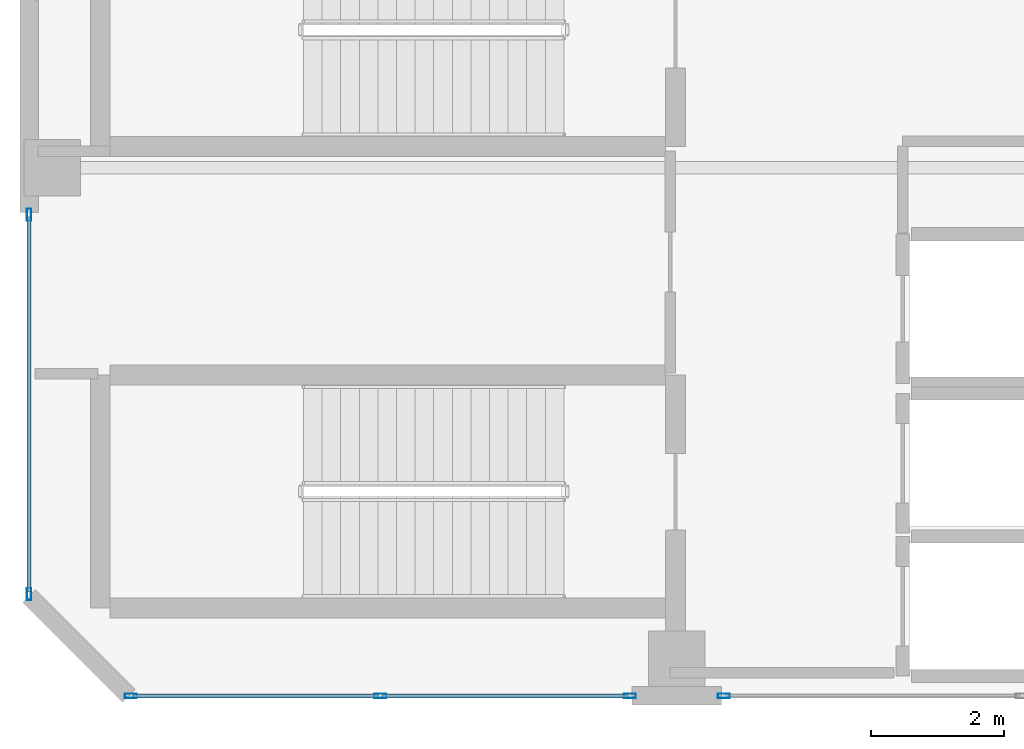
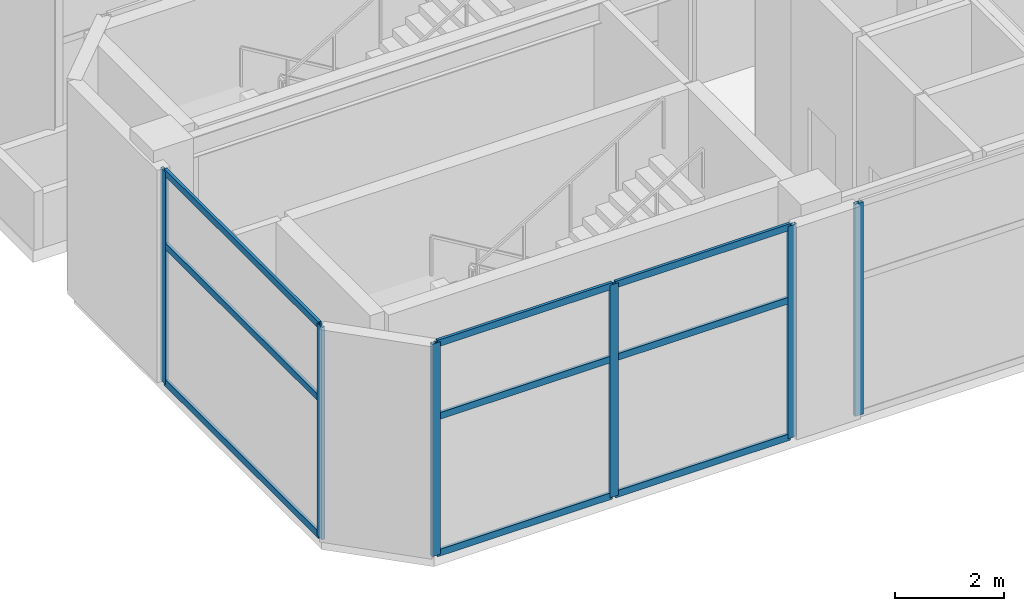
# One storey, part 2 of 18: 15 members, 3 elements without a shape of their own.
"""IFC4 building model written with IfcOpenShell, lengths in metres."""

import ifcopenshell
import ifcopenshell.guid

model = None  # the IFC model being written
_history = None  # IfcOwnerHistory: only IFC2X3 demands one
_inside = {}  # id of a spatial element -> (the spatial element, [elements in it])
_under = {}  # id of a project, library or spatial element -> (it, [spatial elements below it])
_declared = {}  # id of a project -> (the project, [libraries it declares])
_typed = {}  # id of a type object -> (the type object, [elements of that type])
_made_of = {}  # id of a material, layer set ... -> (it, [elements and type objects made of it])


def new_model(schema):
    """Start an empty IFC model of exactly this schema.

    Asked for "IFC4X3", IfcOpenShell would pick the latest addendum, in which some entities
    have other attributes; the version numbers below select the first issue.
    IFC2X3 requires an IfcOwnerHistory on every rooted entity: one is made here for all.
    """
    global model, _history
    if schema == "IFC4X3":
        model = ifcopenshell.file(schema_version=(4, 3, 0, 0))
    else:
        model = ifcopenshell.file(schema=schema)
    _inside.clear()
    _under.clear()
    _declared.clear()
    _typed.clear()
    _made_of.clear()
    _history = None
    if model.schema == "IFC2X3":
        org = make("IfcOrganization", Name="unknown")
        user = make(
            "IfcPersonAndOrganization",
            ThePerson=make("IfcPerson", FamilyName="unknown"),
            TheOrganization=org,
        )
        app = make(
            "IfcApplication",
            ApplicationDeveloper=org,
            Version="unknown",
            ApplicationFullName="unknown",
            ApplicationIdentifier="unknown",
        )
        _history = make(
            "IfcOwnerHistory",
            OwningUser=user,
            OwningApplication=app,
            ChangeAction="ADDED",
            CreationDate=0,
        )
    return model


def make(cls, **values):
    """One entity of the class cls with the attributes given. An attribute that is None is left unset."""
    return model.create_entity(
        cls, **{name: value for name, value in values.items() if value is not None}
    )


def rooted(cls, **values):
    """An entity with a GlobalId (a new one), such as an element, a storey or a relation."""
    return make(cls, GlobalId=ifcopenshell.guid.new(), OwnerHistory=_history, **values)


def si_unit(unit_type, name, prefix=None):
    """IfcSIUnit, for example si_unit("LENGTHUNIT", "METRE", prefix="MILLI")."""
    return make("IfcSIUnit", UnitType=unit_type, Prefix=prefix, Name=name)


def assignment(units):
    """IfcUnitAssignment: the units of a project."""
    return None if units is None else make("IfcUnitAssignment", Units=units)


def point(xyz):
    """IfcCartesianPoint."""
    return None if xyz is None else make("IfcCartesianPoint", Coordinates=xyz)


def direction(xyz):
    """IfcDirection."""
    return None if xyz is None else make("IfcDirection", DirectionRatios=xyz)


def frame(location, z_axis=None, x_axis=None):
    """IfcAxis2Placement3D, a coordinate frame: its origin and axes. An axis left out is left unset."""
    return make(
        "IfcAxis2Placement3D",
        Location=point(location),
        Axis=direction(z_axis),
        RefDirection=direction(x_axis),
    )


def frame_2d(location, x_axis=None):
    """IfcAxis2Placement2D, a coordinate frame in the plane: its origin and x axis."""
    return make(
        "IfcAxis2Placement2D", Location=point(location), RefDirection=direction(x_axis)
    )


def origin():
    """The frame at (0, 0, 0) with its axes left unset."""
    return frame((0.0, 0.0, 0.0))


def origin_2d():
    """The frame at (0, 0) in the plane with its x axis left unset."""
    return frame_2d((0.0, 0.0))


def place(relative_to, where):
    """IfcLocalPlacement: puts the frame where relative to a parent placement (None: the world)."""
    return make(
        "IfcLocalPlacement", PlacementRelTo=relative_to, RelativePlacement=where
    )


def context(
    kind, dimensions, precision=None, world=None, true_north=None, identifier=None
):
    """IfcGeometricRepresentationContext, for example the 3D "Model" context."""
    return make(
        "IfcGeometricRepresentationContext",
        ContextIdentifier=identifier,
        ContextType=kind,
        CoordinateSpaceDimension=dimensions,
        Precision=precision,
        WorldCoordinateSystem=world,
        TrueNorth=true_north,
    )


def subcontext(parent, identifier, kind, view, scale=None):
    """IfcGeometricRepresentationSubContext, for example "Body" below "Model"."""
    return make(
        "IfcGeometricRepresentationSubContext",
        ContextIdentifier=identifier,
        ContextType=kind,
        ParentContext=parent,
        TargetScale=scale,
        TargetView=view,
    )


def project(units=None, contexts=None):
    """IfcProject with its units and contexts."""
    return rooted(
        "IfcProject",
        Name="project",
        RepresentationContexts=contexts,
        UnitsInContext=assignment(units),
    )


def spatial(cls, under=None, at=None, **own):
    """A site, building, storey or space (cls), placed at a placement, below another one or the project."""
    s = rooted(cls, ObjectPlacement=at, **own)
    if under is not None:
        _under.setdefault(under.id(), (under, []))[1].append(s)
    return s


def profile(cls, at=None, kind="AREA", **sizes):
    """A parametric profile (cls). Its sizes go by their IFC names, for example OverallWidth=200.0."""
    return make(cls, ProfileType=kind, Position=at, **sizes)


def hollow_rectangle(**sizes):
    """IfcRectangleHollowProfileDef."""
    return profile("IfcRectangleHollowProfileDef", **sizes)


def extrude(swept, where, along, depth):
    """IfcExtrudedAreaSolid: the profile swept, set in the frame where, extruded along a direction by depth."""
    return make(
        "IfcExtrudedAreaSolid",
        SweptArea=swept,
        Position=where,
        ExtrudedDirection=direction(along),
        Depth=depth,
    )


def shape(context_of_items, identifier, shape_type, items):
    """IfcShapeRepresentation: the items that make up one representation, for example the "Body"."""
    return make(
        "IfcShapeRepresentation",
        ContextOfItems=context_of_items,
        RepresentationIdentifier=identifier,
        RepresentationType=shape_type,
        Items=items,
    )


def material(Name=None, Category=None):
    """IfcMaterial."""
    return make("IfcMaterial", Name=Name, Category=Category)


def layer(
    of_material, thickness, ventilated=None, Name=None, Category=None, Priority=None
):
    """IfcMaterialLayer: one layer of a wall or slab, of a material (None: an air gap)."""
    return make(
        "IfcMaterialLayer",
        Material=of_material,
        LayerThickness=thickness,
        IsVentilated=ventilated,
        Name=Name,
        Category=Category,
        Priority=Priority,
    )


def layer_set(layers, Name=None):
    """IfcMaterialLayerSet."""
    return make("IfcMaterialLayerSet", MaterialLayers=layers, LayerSetName=Name)


def material_profile(
    of_material, cross_section, Name=None, Category=None, Priority=None
):
    """IfcMaterialProfile: a cross section and its material."""
    return make(
        "IfcMaterialProfile",
        Name=Name,
        Material=of_material,
        Profile=cross_section,
        Priority=Priority,
        Category=Category,
    )


def profile_set(profiles, Name=None, composite=None):
    """IfcMaterialProfileSet."""
    return make(
        "IfcMaterialProfileSet",
        Name=Name,
        MaterialProfiles=profiles,
        CompositeProfile=composite,
    )


def made_of(thing, what):
    """Note that an element or type object is made of a material, layer set ...; save() writes the relation."""
    if what is not None:
        _made_of.setdefault(what.id(), (what, []))[1].append(thing)
    return thing


def type_object(cls, material=None, **own):
    """A type object (cls), such as IfcWallType, which elements share."""
    return made_of(rooted(cls, **own), material)


def element(
    cls,
    number,
    at=None,
    inside=None,
    cuts=None,
    type_object=None,
    material=None,
    context=None,
    identifier="Body",
    shape_type=None,
    held_by="IfcProductDefinitionShape",
    body=None,
    shapes=None,
    **own,
):
    """One element of the class cls, such as IfcWall. Its Tag is "e" and its number.

    at: its placement. inside: the storey or other place that contains it. cuts: it is an
    opening in that element (IfcRelVoidsElement). A single representation is given by context,
    identifier, shape_type and body (its items); several are given by shapes. held_by: the class
    of the entity that holds the representations. save() writes the other relations.
    """
    e = rooted(cls, Tag="e%d" % number, ObjectPlacement=at, **own)
    if body is not None:
        shapes = [shape(context, identifier, shape_type, body)]
    if shapes is not None:
        e.Representation = make(held_by, Representations=shapes)
    if inside is not None:
        _inside.setdefault(inside.id(), (inside, []))[1].append(e)
    if cuts is not None:
        rooted(
            "IfcRelVoidsElement", RelatingBuildingElement=cuts, RelatedOpeningElement=e
        )
    if type_object is not None:
        _typed.setdefault(type_object.id(), (type_object, []))[1].append(e)
    return made_of(e, material)


def aggregate(whole, parts):
    """IfcRelAggregates: a whole, such as a stair, and the parts it consists of."""
    return rooted("IfcRelAggregates", RelatingObject=whole, RelatedObjects=parts)


def save(model, path):
    """Write the relations noted so far, then the file.

    IfcRelAggregates (storeys below a building ...), IfcRelContainedInSpatialStructure (elements
    in a storey), IfcRelDefinesByType, IfcRelAssociatesMaterial and IfcRelDeclares: one each for
    every whole, place, type object, material and project.
    """
    for whole, parts in _under.values():
        aggregate(whole, parts)
    for where, things in _inside.values():
        rooted(
            "IfcRelContainedInSpatialStructure",
            RelatedElements=things,
            RelatingStructure=where,
        )
    for kind, things in _typed.values():
        rooted("IfcRelDefinesByType", RelatedObjects=things, RelatingType=kind)
    for what, things in _made_of.values():
        rooted("IfcRelAssociatesMaterial", RelatedObjects=things, RelatingMaterial=what)
    for by, libraries in _declared.values():
        rooted("IfcRelDeclares", RelatingContext=by, RelatedDefinitions=libraries)
    model.write(path)


model = new_model("IFC4")

# Units and contexts
model_context = context("Model", 3, precision=1e-05, world=origin(), true_north=direction((0.0, 1.0)))
body_context = subcontext(model_context, "Body", "Model", "MODEL_VIEW")
ifc_project = project(units=[si_unit("LENGTHUNIT", "METRE"), si_unit("AREAUNIT", "SQUARE_METRE"), si_unit("VOLUMEUNIT", "CUBIC_METRE"), si_unit("PLANEANGLEUNIT", "RADIAN"), si_unit("MASSUNIT", "GRAM", prefix="KILO")], contexts=[model_context])

# Site, building, storey
site_placement = place(None, origin())
site = spatial("IfcSite", under=ifc_project, at=site_placement, CompositionType="ELEMENT")
building_placement = place(site_placement, origin())
building = spatial("IfcBuilding", under=site, at=building_placement, Name="Mawjaban Terraces University", CompositionType="ELEMENT")
storey_placement = place(building_placement, frame((0.0, 0.0, 316.699951171875)))
storey = spatial("IfcBuildingStorey", under=building, at=storey_placement, Name="L77", CompositionType="ELEMENT", Elevation=316.699951171875)

# Curtain wall, members
ifc_material_1 = material(Name="Anodised aluminium 6063-T6 and solar-control low-E glass", Category="aluminium")
ifc_layer = layer(ifc_material_1, 0.199951171875)
ifc_layer_set = layer_set([ifc_layer], Name="Anodised aluminium 6063-T6 and solar-control low-E glass")
curtain_wall_type = type_object("IfcCurtainWallType", Name="CWSystem_06_ObservationCrown", PredefinedType="NOTDEFINED", material=ifc_layer_set)
curtain_wall_1_placement = place(storey_placement, origin())
curtain_wall_1 = element("IfcCurtainWall", 1, at=curtain_wall_1_placement, inside=storey, type_object=curtain_wall_type, Name="L77 Curtain Wall CW-06 Run 1.1", PredefinedType="NOTDEFINED")
ifc_material_2 = material(Name="Anodised aluminium 6063-T6", Category="aluminium")
ifc_material_profile_1 = material_profile(ifc_material_2, hollow_rectangle(XDim=0.06494140625, YDim=0.179931640625, WallThickness=0.00390625, at=origin_2d()), Name="ALU180X65X4")
ifc_profile_set_1 = profile_set([ifc_material_profile_1], Name="Anodised aluminium 6063-T6")
member_type_1 = type_object("IfcMemberType", Name="Mullion_CW-06", PredefinedType="MULLION", material=ifc_profile_set_1)
member_1_placement = place(storey_placement, frame((23.532470703125, 0.0, 0.0), z_axis=(0.0, 0.0, 1.0), x_axis=(0.0, 1.0, 0.0)))
member_1 = element("IfcMember", 2, at=member_1_placement, type_object=member_type_1, Name="CW-06 mullion 1", PredefinedType="MULLION", context=body_context, shape_type="SweptSolid", body=[
    extrude(hollow_rectangle(XDim=0.06494140625, YDim=0.179931640625, WallThickness=0.00390625, at=origin_2d()), origin(), (0.0, 0.0, 1.0), 4.739990234375),
])
member_2_placement = place(storey_placement, frame((27.28759765625, 0.0, 0.0), z_axis=(0.0, 0.0, 1.0), x_axis=(0.0, 1.0, 0.0)))
member_2 = element("IfcMember", 3, at=member_2_placement, type_object=member_type_1, Name="CW-06 mullion 2", PredefinedType="MULLION", context=body_context, shape_type="SweptSolid", body=[
    extrude(hollow_rectangle(XDim=0.06494140625, YDim=0.179931640625, WallThickness=0.00390625, at=origin_2d()), origin(), (0.0, 0.0, 1.0), 4.739990234375),
])
member_3_placement = place(storey_placement, frame((31.04248046875, 0.0, 0.0), z_axis=(0.0, 0.0, 1.0), x_axis=(0.0, 1.0, 0.0)))
member_3 = element("IfcMember", 4, at=member_3_placement, type_object=member_type_1, Name="CW-06 mullion 3", PredefinedType="MULLION", context=body_context, shape_type="SweptSolid", body=[
    extrude(hollow_rectangle(XDim=0.06494140625, YDim=0.179931640625, WallThickness=0.00390625, at=origin_2d()), origin(), (0.0, 0.0, 1.0), 4.739990234375),
])

# Curtain wall, member
curtain_wall_2_placement = place(storey_placement, origin())
curtain_wall_2 = element("IfcCurtainWall", 5, at=curtain_wall_2_placement, inside=storey, type_object=curtain_wall_type, Name="L77 Curtain Wall CW-06 Run 1.2", PredefinedType="NOTDEFINED")
member_4_placement = place(storey_placement, frame((32.45751953125, 0.0, 0.0), z_axis=(0.0, 0.0, 1.0), x_axis=(0.0, 1.0, 0.0)))
member_4 = element("IfcMember", 6, at=member_4_placement, type_object=member_type_1, Name="CW-06 mullion 1", PredefinedType="MULLION", context=body_context, shape_type="SweptSolid", body=[
    extrude(hollow_rectangle(XDim=0.06494140625, YDim=0.179931640625, WallThickness=0.00390625, at=origin_2d()), origin(), (0.0, 0.0, 1.0), 4.739990234375),
])
aggregate(curtain_wall_2, [member_4])

# Curtain wall, members
curtain_wall_3_placement = place(storey_placement, origin())
curtain_wall_3 = element("IfcCurtainWall", 7, at=curtain_wall_3_placement, inside=storey, type_object=curtain_wall_type, Name="L77 Curtain Wall CW-06 Run 7.1", PredefinedType="NOTDEFINED")
member_5_placement = place(storey_placement, frame((22.0, 7.242431640625, 0.0), z_axis=(0.0, 0.0, 1.0), x_axis=(1.0, 0.0, 0.0)))
member_5 = element("IfcMember", 8, at=member_5_placement, type_object=member_type_1, Name="CW-06 mullion 1", PredefinedType="MULLION", context=body_context, shape_type="SweptSolid", body=[
    extrude(hollow_rectangle(XDim=0.06494140625, YDim=0.179931640625, WallThickness=0.00390625, at=origin_2d()), origin(), (0.0, 0.0, 1.0), 4.739990234375),
])
member_6_placement = place(storey_placement, frame((22.0, 1.532470703125, 0.0), z_axis=(0.0, 0.0, 1.0), x_axis=(1.0, 0.0, 0.0)))
member_6 = element("IfcMember", 9, at=member_6_placement, type_object=member_type_1, Name="CW-06 mullion 2", PredefinedType="MULLION", context=body_context, shape_type="SweptSolid", body=[
    extrude(hollow_rectangle(XDim=0.06494140625, YDim=0.179931640625, WallThickness=0.00390625, at=origin_2d()), origin(), (0.0, 0.0, 1.0), 4.739990234375),
])

# Member
ifc_material_profile_2 = material_profile(ifc_material_2, hollow_rectangle(XDim=0.06005859375, YDim=0.14990234375, WallThickness=0.00390625, at=origin_2d()), Name="ALU150X60X4")
ifc_profile_set_2 = profile_set([ifc_material_profile_2], Name="Anodised aluminium 6063-T6")
member_type_2 = type_object("IfcMemberType", Name="Transom_CW-06", PredefinedType="NOTDEFINED", material=ifc_profile_set_2)
member_7_placement = place(storey_placement, frame((23.56494140625, 0.0, 0.030029296875), z_axis=(1.0, 0.0, 0.0), x_axis=(0.0, 1.0, 0.0)))
member_7 = element("IfcMember", 10, at=member_7_placement, type_object=member_type_2, Name="CW-06 transom 1.1", ObjectType="TRANSOM", PredefinedType="USERDEFINED", context=body_context, shape_type="SweptSolid", body=[
    extrude(hollow_rectangle(XDim=0.06005859375, YDim=0.14990234375, WallThickness=0.00390625, at=origin_2d()), origin(), (0.0, 0.0, 1.0), 3.68994140625),
])

member_8_placement = place(storey_placement, frame((23.56494140625, 0.0, 3.0810546875), z_axis=(1.0, 0.0, 0.0), x_axis=(0.0, 1.0, 0.0)))
member_8 = element("IfcMember", 11, at=member_8_placement, type_object=member_type_2, Name="CW-06 transom 1.2", ObjectType="TRANSOM", PredefinedType="USERDEFINED", context=body_context, shape_type="SweptSolid", body=[
    extrude(hollow_rectangle(XDim=0.06005859375, YDim=0.14990234375, WallThickness=0.00390625, at=origin_2d()), origin(), (0.0, 0.0, 1.0), 3.68994140625),
])

member_9_placement = place(storey_placement, frame((23.56494140625, 0.0, 4.7099609375), z_axis=(1.0, 0.0, 0.0), x_axis=(0.0, 1.0, 0.0)))
member_9 = element("IfcMember", 12, at=member_9_placement, type_object=member_type_2, Name="CW-06 transom 1.3", ObjectType="TRANSOM", PredefinedType="USERDEFINED", context=body_context, shape_type="SweptSolid", body=[
    extrude(hollow_rectangle(XDim=0.06005859375, YDim=0.14990234375, WallThickness=0.00390625, at=origin_2d()), origin(), (0.0, 0.0, 1.0), 3.68994140625),
])

member_10_placement = place(storey_placement, frame((27.320068359375, 0.0, 0.030029296875), z_axis=(1.0, 0.0, 0.0), x_axis=(0.0, 1.0, 0.0)))
member_10 = element("IfcMember", 13, at=member_10_placement, type_object=member_type_2, Name="CW-06 transom 2.1", ObjectType="TRANSOM", PredefinedType="USERDEFINED", context=body_context, shape_type="SweptSolid", body=[
    extrude(hollow_rectangle(XDim=0.06005859375, YDim=0.14990234375, WallThickness=0.00390625, at=origin_2d()), origin(), (0.0, 0.0, 1.0), 3.68994140625),
])

member_11_placement = place(storey_placement, frame((27.320068359375, 0.0, 3.0810546875), z_axis=(1.0, 0.0, 0.0), x_axis=(0.0, 1.0, 0.0)))
member_11 = element("IfcMember", 14, at=member_11_placement, type_object=member_type_2, Name="CW-06 transom 2.2", ObjectType="TRANSOM", PredefinedType="USERDEFINED", context=body_context, shape_type="SweptSolid", body=[
    extrude(hollow_rectangle(XDim=0.06005859375, YDim=0.14990234375, WallThickness=0.00390625, at=origin_2d()), origin(), (0.0, 0.0, 1.0), 3.68994140625),
])

member_12_placement = place(storey_placement, frame((27.320068359375, 0.0, 4.7099609375), z_axis=(1.0, 0.0, 0.0), x_axis=(0.0, 1.0, 0.0)))
member_12 = element("IfcMember", 15, at=member_12_placement, type_object=member_type_2, Name="CW-06 transom 2.3", ObjectType="TRANSOM", PredefinedType="USERDEFINED", context=body_context, shape_type="SweptSolid", body=[
    extrude(hollow_rectangle(XDim=0.06005859375, YDim=0.14990234375, WallThickness=0.00390625, at=origin_2d()), origin(), (0.0, 0.0, 1.0), 3.68994140625),
])

aggregate(curtain_wall_1, [member_1, member_2, member_3, member_7, member_8, member_9, member_10, member_11, member_12])

member_13_placement = place(storey_placement, frame((22.0, 7.2099609375, 0.030029296875), z_axis=(0.0, -1.0, 0.0), x_axis=(1.0, 0.0, 0.0)))
member_13 = element("IfcMember", 16, at=member_13_placement, type_object=member_type_2, Name="CW-06 transom 1.1", ObjectType="TRANSOM", PredefinedType="USERDEFINED", context=body_context, shape_type="SweptSolid", body=[
    extrude(hollow_rectangle(XDim=0.06005859375, YDim=0.14990234375, WallThickness=0.00390625, at=origin_2d()), origin(), (0.0, 0.0, 1.0), 5.64501953125),
])

member_14_placement = place(storey_placement, frame((22.0, 7.2099609375, 3.0810546875), z_axis=(0.0, -1.0, 0.0), x_axis=(1.0, 0.0, 0.0)))
member_14 = element("IfcMember", 17, at=member_14_placement, type_object=member_type_2, Name="CW-06 transom 1.2", ObjectType="TRANSOM", PredefinedType="USERDEFINED", context=body_context, shape_type="SweptSolid", body=[
    extrude(hollow_rectangle(XDim=0.06005859375, YDim=0.14990234375, WallThickness=0.00390625, at=origin_2d()), origin(), (0.0, 0.0, 1.0), 5.64501953125),
])

member_15_placement = place(storey_placement, frame((22.0, 7.2099609375, 4.7099609375), z_axis=(0.0, -1.0, 0.0), x_axis=(1.0, 0.0, 0.0)))
member_15 = element("IfcMember", 18, at=member_15_placement, type_object=member_type_2, Name="CW-06 transom 1.3", ObjectType="TRANSOM", PredefinedType="USERDEFINED", context=body_context, shape_type="SweptSolid", body=[
    extrude(hollow_rectangle(XDim=0.06005859375, YDim=0.14990234375, WallThickness=0.00390625, at=origin_2d()), origin(), (0.0, 0.0, 1.0), 5.64501953125),
])

aggregate(curtain_wall_3, [member_5, member_6, member_13, member_14, member_15])

save(model, "model.ifc")
